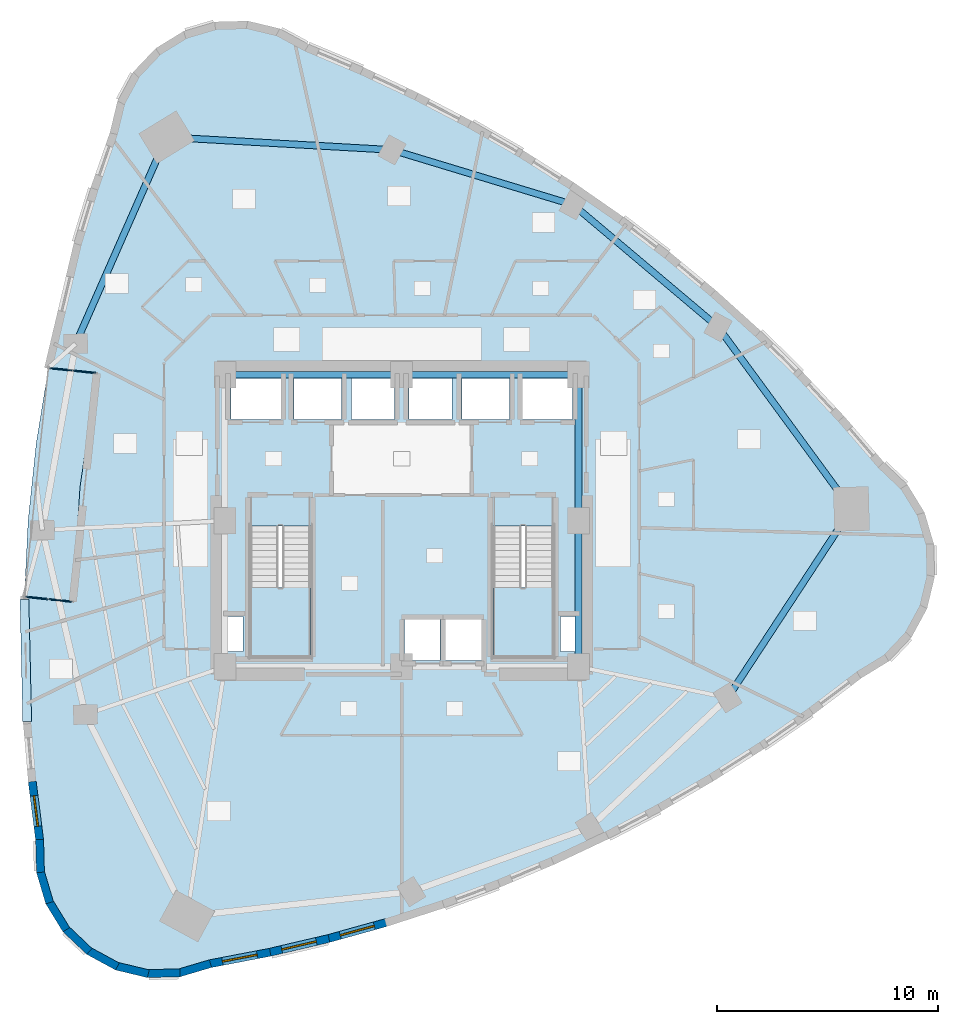
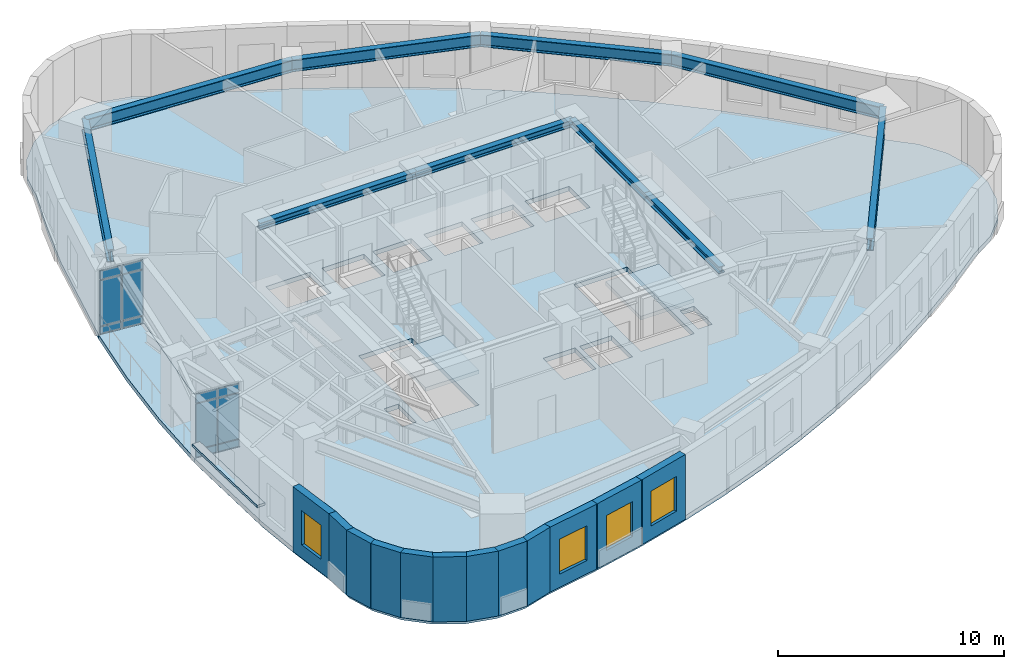
# One storey, part 4 of 12: 13 plates, 12 walls, 10 beams, 4 slabs, 4 windows, 4 openings, 4 elements without a shape of their own.
"""IFC4 building model written with IfcOpenShell, lengths in metres."""

from ifc_helpers import new_model, si_unit, direction, frame, frame_2d, origin, origin_2d, place, context, subcontext, project, spatial, polyline, rectangle, i_section, outline, extrude, material, layer, layer_set, material_profile, profile_set, type_object, element, fill, aggregate, save


model = new_model("IFC4")

# Units and contexts
model_context = context("Model", 3, precision=1e-05, world=origin(), true_north=direction((0.0, 1.0)))
body_context = subcontext(model_context, "Body", "Model", "MODEL_VIEW")
ifc_project = project(units=[si_unit("LENGTHUNIT", "METRE"), si_unit("AREAUNIT", "SQUARE_METRE"), si_unit("VOLUMEUNIT", "CUBIC_METRE"), si_unit("PLANEANGLEUNIT", "RADIAN"), si_unit("MASSUNIT", "GRAM", prefix="KILO")], contexts=[model_context])

# Site, building, storey
site_placement = place(None, origin())
site = spatial("IfcSite", under=ifc_project, at=site_placement, CompositionType="ELEMENT")
building_placement = place(site_placement, origin())
building = spatial("IfcBuilding", under=site, at=building_placement, Name="Ndelora Gate Hotel", CompositionType="ELEMENT")
storey_placement = place(building_placement, frame((0.0, 0.0, 101.0)))
storey = spatial("IfcBuildingStorey", under=building, at=storey_placement, Name="L24", CompositionType="ELEMENT", Elevation=101.0)

# Beams
ifc_material_1 = material(Name="Steel S355", Category="steel")
ifc_material_profile_1 = material_profile(ifc_material_1, i_section(OverallWidth=0.300048828125, OverallDepth=0.360107421875, WebThickness=0.012451171875, FlangeThickness=0.0224609375, FilletRadius=0.027099609375, at=origin_2d()), Name="HEB 360")
ifc_profile_set_1 = profile_set([ifc_material_profile_1], Name="Steel S355")
beam_type_1 = type_object("IfcBeamType", Name="BM-CORE-360", PredefinedType="BEAM", material=ifc_profile_set_1)
for number, where, z_axis, x_axis, name in (
    (1, (-8.0, 6.60009765625, 3.320068359375), (1.0, 0.0, 0.0), (0.0, 1.0, 0.0), "L24 Core Tie Girder CC7-CC6"),
    (2, (0.0, 6.60009765625, 3.320068359375), (1.0, 0.0, 0.0), (0.0, 1.0, 0.0), "L24 Core Tie Girder CC6-CC5"),
):
    element("IfcBeam", number, at=place(storey_placement, frame(where, z_axis=z_axis, x_axis=x_axis)), inside=storey, type_object=beam_type_1, Name=name, PredefinedType="BEAM", context=body_context, shape_type="SweptSolid", body=[
        extrude(i_section(OverallWidth=0.300048828125, OverallDepth=0.360107421875, WebThickness=0.012451171875, FlangeThickness=0.0224609375, FilletRadius=0.027099609375, at=origin_2d()), origin(), (0.0, 0.0, 1.0), 8.0),
    ])
for number, where, z_axis, x_axis, name in (
    (3, (8.0, -6.60009765625, 3.320068359375), (0.0, 1.0, 0.0), (-1.0, 0.0, 0.0), "L24 Core Tie Girder CC3-CC4"),
    (4, (8.0, 0.0, 3.320068359375), (0.0, 1.0, 0.0), (-1.0, 0.0, 0.0), "L24 Core Tie Girder CC4-CC5"),
):
    element("IfcBeam", number, at=place(storey_placement, frame(where, z_axis=z_axis, x_axis=x_axis)), inside=storey, type_object=beam_type_1, Name=name, PredefinedType="BEAM", context=body_context, shape_type="SweptSolid", body=[
        extrude(i_section(OverallWidth=0.300048828125, OverallDepth=0.360107421875, WebThickness=0.012451171875, FlangeThickness=0.0224609375, FilletRadius=0.027099609375, at=origin_2d()), origin(), (0.0, 0.0, 1.0), 6.60009765625),
    ])
ifc_material_profile_2 = material_profile(ifc_material_1, i_section(OverallWidth=0.300048828125, OverallDepth=0.64990234375, WebThickness=0.01611328125, FlangeThickness=0.031005859375, FilletRadius=0.027099609375, at=origin_2d()), Name="HEB 650")
ifc_profile_set_2 = profile_set([ifc_material_profile_2], Name="Steel S355")
beam_type_2 = type_object("IfcBeamType", Name="BM-RING-650", PredefinedType="SPANDREL", material=ifc_profile_set_2)
beam_1_placement = place(storey_placement, frame((-10.63330078125, 17.351806640625, 3.175048828125), z_axis=(-0.402852396707, -0.915264959707, 0.0), x_axis=(0.915264959707, -0.402852396707, 0.0)))
element("IfcBeam", 5, at=beam_1_placement, inside=storey, type_object=beam_type_2, Name="L24 Perimeter Spandrel Girder 1", PredefinedType="SPANDREL", context=body_context, shape_type="SweptSolid", body=[
    extrude(i_section(OverallWidth=0.300048828125, OverallDepth=0.64990234375, WebThickness=0.01611328125, FlangeThickness=0.031005859375, FilletRadius=0.027099609375, at=origin_2d()), origin(), (0.0, 0.0, 1.0), 10.21044921875),
])
for number, where, z_axis, x_axis, name in (
    (6, (14.74658203125, -8.006591796875, 3.175048828125), (0.548194123818, 0.836351123998, 0.0), (-0.836351123998, 0.548194123818, 0.0), "L24 Perimeter Spandrel Girder 8"),
    (7, (20.34375, 0.53271484375, 3.175048828125), (-0.591229932094, 0.806503048597, 0.0), (-0.806503048597, -0.591229932094, 0.0), "L24 Perimeter Spandrel Girder 9"),
):
    element("IfcBeam", number, at=place(storey_placement, frame(where, z_axis=z_axis, x_axis=x_axis)), inside=storey, type_object=beam_type_2, Name=name, PredefinedType="SPANDREL", context=body_context, shape_type="SweptSolid", body=[
        extrude(i_section(OverallWidth=0.300048828125, OverallDepth=0.64990234375, WebThickness=0.01611328125, FlangeThickness=0.031005859375, FilletRadius=0.027099609375, at=origin_2d()), origin(), (0.0, 0.0, 1.0), 10.210205078125),
    ])
beam_2_placement = place(storey_placement, frame((14.30712890625, 8.767333984375, 3.175048828125), z_axis=(-0.76440691948, 0.644734101356, 0.0), x_axis=(-0.644734101356, -0.76440691948, 0.0)))
element("IfcBeam", 8, at=beam_2_placement, inside=storey, type_object=beam_type_2, Name="L24 Perimeter Spandrel Girder 10", PredefinedType="SPANDREL", context=body_context, shape_type="SweptSolid", body=[
    extrude(i_section(OverallWidth=0.300048828125, OverallDepth=0.64990234375, WebThickness=0.01611328125, FlangeThickness=0.031005859375, FilletRadius=0.027099609375, at=origin_2d()), origin(), (0.0, 0.0, 1.0), 8.566162109375),
])
beam_3_placement = place(storey_placement, frame((7.759033203125, 14.290283203125, 3.175048828125), z_axis=(-0.957030396662, 0.289987620192, 0.0), x_axis=(-0.289987620192, -0.957030396662, 0.0)))
element("IfcBeam", 9, at=beam_3_placement, inside=storey, type_object=beam_type_2, Name="L24 Perimeter Spandrel Girder 11", PredefinedType="SPANDREL", context=body_context, shape_type="SweptSolid", body=[
    extrude(i_section(OverallWidth=0.300048828125, OverallDepth=0.64990234375, WebThickness=0.01611328125, FlangeThickness=0.031005859375, FilletRadius=0.027099609375, at=origin_2d()), origin(), (0.0, 0.0, 1.0), 8.56640625),
])
beam_4_placement = place(storey_placement, frame((-0.439208984375, 16.7744140625, 3.175048828125), z_axis=(-0.998399808671, 0.056549288648, 0.0), x_axis=(-0.056549288648, -0.998399808671, 0.0)))
element("IfcBeam", 10, at=beam_4_placement, inside=storey, type_object=beam_type_2, Name="L24 Perimeter Spandrel Girder 12", PredefinedType="SPANDREL", context=body_context, shape_type="SweptSolid", body=[
    extrude(i_section(OverallWidth=0.300048828125, OverallDepth=0.64990234375, WebThickness=0.01611328125, FlangeThickness=0.031005859375, FilletRadius=0.027099609375, at=origin_2d()), origin(), (0.0, 0.0, 1.0), 10.21044921875),
])

# Curtain wall, plates
ifc_material_2 = material(Name="Bronze Anodised Unitised Aluminium and Low-E Glass", Category="aluminium")
ifc_layer_1 = layer(ifc_material_2, 0.199951171875)
ifc_layer_set_1 = layer_set([ifc_layer_1], Name="Bronze Anodised Unitised Aluminium and Low-E Glass")
curtain_wall_type = type_object("IfcCurtainWallType", Name="CW-SYS-3", PredefinedType="NOTDEFINED", material=ifc_layer_set_1)
curtain_wall_1_placement = place(storey_placement, origin())
curtain_wall_1 = element("IfcCurtainWall", 11, at=curtain_wall_1_placement, inside=storey, type_object=curtain_wall_type, Name="L24 Sky-Garden Loggia Side Curtain Wall CW3-1", PredefinedType="NOTDEFINED")
ifc_material_3 = material(Name="Solar-Control Low-E Insulated Glazing", Category="glass")
ifc_layer_2 = layer(ifc_material_3, 0.048095703125)
ifc_layer_set_2 = layer_set([ifc_layer_2], Name="Solar-Control Low-E Insulated Glazing")
plate_type_1 = type_object("IfcPlateType", Name="PL-CW-GLZ36", PredefinedType="CURTAIN_PANEL", material=ifc_layer_set_2)
plate_1_placement = place(storey_placement, frame((-14.356201171875, 6.737548828125, 0.05908203125), z_axis=(0.0, 0.0, 1.0), x_axis=(-0.994524614789, 0.10450258647, 0.0)))
plate_1 = element("IfcPlate", 12, at=plate_1_placement, type_object=plate_type_1, Name="CW3 panel 1.1", PredefinedType="CURTAIN_PANEL", context=body_context, shape_type="SweptSolid", body=[
    extrude(rectangle(XDim=1.014404296875, YDim=0.048095703125, at=origin_2d()), origin(), (0.0, 0.0, 1.0), 0.364501953125),
])
plate_2_placement = place(storey_placement, frame((-14.356201171875, 6.737548828125, 0.4765625), z_axis=(0.0, 0.0, 1.0), x_axis=(-0.994524614789, 0.10450258647, 0.0)))
plate_2 = element("IfcPlate", 13, at=plate_2_placement, type_object=plate_type_1, Name="CW3 panel 1.2", PredefinedType="CURTAIN_PANEL", context=body_context, shape_type="SweptSolid", body=[
    extrude(rectangle(XDim=1.014404296875, YDim=0.048095703125, at=origin_2d()), origin(), (0.0, 0.0, 1.0), 2.447021484375),
])
plate_3_placement = place(storey_placement, frame((-14.356201171875, 6.737548828125, 2.9765625), z_axis=(0.0, 0.0, 1.0), x_axis=(-0.994524614789, 0.10450258647, 0.0)))
plate_3 = element("IfcPlate", 14, at=plate_3_placement, type_object=plate_type_1, Name="CW3 panel 1.3", PredefinedType="CURTAIN_PANEL", context=body_context, shape_type="SweptSolid", body=[
    extrude(rectangle(XDim=1.014404296875, YDim=0.048095703125, at=origin_2d()), origin(), (0.0, 0.0, 1.0), 0.464599609375),
])
plate_4_placement = place(storey_placement, frame((-15.41796875, 6.84912109375, 0.05908203125), z_axis=(0.0, 0.0, 1.0), x_axis=(-0.994524614789, 0.10450258647, 0.0)))
plate_4 = element("IfcPlate", 15, at=plate_4_placement, type_object=plate_type_1, Name="CW3 panel 2.1", PredefinedType="CURTAIN_PANEL", context=body_context, shape_type="SweptSolid", body=[
    extrude(rectangle(XDim=1.014404296875, YDim=0.048095703125, at=origin_2d()), origin(), (0.0, 0.0, 1.0), 0.364501953125),
])
plate_5_placement = place(storey_placement, frame((-15.41796875, 6.84912109375, 0.4765625), z_axis=(0.0, 0.0, 1.0), x_axis=(-0.994524614789, 0.10450258647, 0.0)))
plate_5 = element("IfcPlate", 16, at=plate_5_placement, type_object=plate_type_1, Name="CW3 panel 2.2", PredefinedType="CURTAIN_PANEL", context=body_context, shape_type="SweptSolid", body=[
    extrude(rectangle(XDim=1.014404296875, YDim=0.048095703125, at=origin_2d()), origin(), (0.0, 0.0, 1.0), 2.447021484375),
])
plate_6_placement = place(storey_placement, frame((-15.41796875, 6.84912109375, 2.9765625), z_axis=(0.0, 0.0, 1.0), x_axis=(-0.994524614789, 0.10450258647, 0.0)))
plate_6 = element("IfcPlate", 17, at=plate_6_placement, type_object=plate_type_1, Name="CW3 panel 2.3", PredefinedType="CURTAIN_PANEL", context=body_context, shape_type="SweptSolid", body=[
    extrude(rectangle(XDim=1.014404296875, YDim=0.048095703125, at=origin_2d()), origin(), (0.0, 0.0, 1.0), 0.464599609375),
])
aggregate(curtain_wall_1, [plate_1, plate_2, plate_3, plate_4, plate_5, plate_6])

curtain_wall_2_placement = place(storey_placement, origin())
curtain_wall_2 = element("IfcCurtainWall", 18, at=curtain_wall_2_placement, inside=storey, type_object=curtain_wall_type, Name="L24 Sky-Garden Loggia Side Curtain Wall CW3-2", PredefinedType="NOTDEFINED")
plate_7_placement = place(storey_placement, frame((-16.5048828125, -3.493896484375, 0.05908203125), z_axis=(0.0, 0.0, 1.0), x_axis=(0.994519889569, -0.104547545416, 0.0)))
plate_7 = element("IfcPlate", 19, at=plate_7_placement, type_object=plate_type_1, Name="CW3 panel 1.1", PredefinedType="CURTAIN_PANEL", context=body_context, shape_type="SweptSolid", body=[
    extrude(rectangle(XDim=1.014404296875, YDim=0.048095703125, at=origin_2d()), origin(), (0.0, 0.0, 1.0), 0.364501953125),
])
plate_8_placement = place(storey_placement, frame((-16.5048828125, -3.493896484375, 0.4765625), z_axis=(0.0, 0.0, 1.0), x_axis=(0.994519889569, -0.104547545416, 0.0)))
plate_8 = element("IfcPlate", 20, at=plate_8_placement, type_object=plate_type_1, Name="CW3 panel 1.2", PredefinedType="CURTAIN_PANEL", context=body_context, shape_type="SweptSolid", body=[
    extrude(rectangle(XDim=1.014404296875, YDim=0.048095703125, at=origin_2d()), origin(), (0.0, 0.0, 1.0), 2.447021484375),
])
plate_9_placement = place(storey_placement, frame((-16.5048828125, -3.493896484375, 2.9765625), z_axis=(0.0, 0.0, 1.0), x_axis=(0.994519889569, -0.104547545416, 0.0)))
plate_9 = element("IfcPlate", 21, at=plate_9_placement, type_object=plate_type_1, Name="CW3 panel 1.3", PredefinedType="CURTAIN_PANEL", context=body_context, shape_type="SweptSolid", body=[
    extrude(rectangle(XDim=1.014404296875, YDim=0.048095703125, at=origin_2d()), origin(), (0.0, 0.0, 1.0), 0.464599609375),
])
plate_10_placement = place(storey_placement, frame((-15.443359375, -3.60546875, 0.05908203125), z_axis=(0.0, 0.0, 1.0), x_axis=(0.994519889569, -0.104547545416, 0.0)))
plate_10 = element("IfcPlate", 22, at=plate_10_placement, type_object=plate_type_1, Name="CW3 panel 2.1", PredefinedType="CURTAIN_PANEL", context=body_context, shape_type="SweptSolid", body=[
    extrude(rectangle(XDim=1.014404296875, YDim=0.048095703125, at=origin_2d()), origin(), (0.0, 0.0, 1.0), 0.364501953125),
])
plate_11_placement = place(storey_placement, frame((-15.443359375, -3.60546875, 0.4765625), z_axis=(0.0, 0.0, 1.0), x_axis=(0.994519889569, -0.104547545416, 0.0)))
plate_11 = element("IfcPlate", 23, at=plate_11_placement, type_object=plate_type_1, Name="CW3 panel 2.2", PredefinedType="CURTAIN_PANEL", context=body_context, shape_type="SweptSolid", body=[
    extrude(rectangle(XDim=1.014404296875, YDim=0.048095703125, at=origin_2d()), origin(), (0.0, 0.0, 1.0), 2.447021484375),
])
plate_12_placement = place(storey_placement, frame((-15.443359375, -3.60546875, 2.9765625), z_axis=(0.0, 0.0, 1.0), x_axis=(0.994519889569, -0.104547545416, 0.0)))
plate_12 = element("IfcPlate", 24, at=plate_12_placement, type_object=plate_type_1, Name="CW3 panel 2.3", PredefinedType="CURTAIN_PANEL", context=body_context, shape_type="SweptSolid", body=[
    extrude(rectangle(XDim=1.014404296875, YDim=0.048095703125, at=origin_2d()), origin(), (0.0, 0.0, 1.0), 0.464599609375),
])
aggregate(curtain_wall_2, [plate_7, plate_8, plate_9, plate_10, plate_11, plate_12])

# Plate
ifc_material_4 = material(Name="Precast concrete C40/50", Category="concrete")
ifc_layer_3 = layer(ifc_material_4, 0.125)
ifc_layer_set_3 = layer_set([ifc_layer_3], Name="Precast concrete C40/50")
plate_type_2 = type_object("IfcPlateType", Name="PL-SILL-120", PredefinedType="USERDEFINED", material=ifc_layer_set_3)
plate_13_placement = place(storey_placement, frame((-17.0029296875, -6.322509765625, 0.78759765625), z_axis=(0.0, 0.0, 1.0), x_axis=(-0.022512845226, 0.999746553782, 0.0)))
element("IfcPlate", 25, at=plate_13_placement, inside=storey, type_object=plate_type_2, Name="L24 Streamline Precast Ribbon Sill 16", ObjectType="RIBBON_SILL", PredefinedType="USERDEFINED", context=body_context, shape_type="SweptSolid", body=[
    extrude(rectangle(XDim=5.527099609375, YDim=0.39990234375, at=origin_2d()), origin(), (0.0, 0.0, 1.0), 0.125),
])

# Stair, slab
stair_type = type_object("IfcStairType", Name="STR-DOG-CORE", PredefinedType="HALF_TURN_STAIR", material=ifc_material_4)
stair_1_placement = place(storey_placement, origin())
stair_1 = element("IfcStair", 26, at=stair_1_placement, inside=storey, type_object=stair_type, Name="L24 Protected Core Exit Stair ST4", PredefinedType="HALF_TURN_STAIR")
ifc_layer_4 = layer(ifc_material_4, 0.219970703125)
ifc_layer_set_4 = layer_set([ifc_layer_4], Name="Precast concrete C40/50")
slab_type_1 = type_object("IfcSlabType", Name="SL-LAND-220", PredefinedType="LANDING", material=ifc_layer_set_4)
slab_1_placement = place(storey_placement, frame((0.0, 0.0, 1.675048828125)))
slab_1 = element("IfcSlab", 27, at=slab_1_placement, type_object=slab_type_1, Name="ST4 landing 1", PredefinedType="LANDING", context=body_context, shape_type="SweptSolid", body=[
    extrude(outline(polyline([(-6.85009765625, -3.030029296875), (-6.85009765625, -6.14990234375), (-4.1298828125, -6.14990234375), (-4.1298828125, -3.030029296875), (-6.85009765625, -3.030029296875)])), origin(), (0.0, 0.0, 1.0), 0.199951171875),
])
aggregate(stair_1, [slab_1])

stair_2_placement = place(storey_placement, origin())
stair_2 = element("IfcStair", 28, at=stair_2_placement, inside=storey, type_object=stair_type, Name="L24 Protected Core Exit Stair ST5", PredefinedType="HALF_TURN_STAIR")
slab_2_placement = place(storey_placement, frame((0.0, 0.0, 1.675048828125)))
slab_2 = element("IfcSlab", 29, at=slab_2_placement, type_object=slab_type_1, Name="ST5 landing 1", PredefinedType="LANDING", context=body_context, shape_type="SweptSolid", body=[
    extrude(outline(polyline([(4.1298828125, -3.030029296875), (4.1298828125, -6.14990234375), (6.85009765625, -6.14990234375), (6.85009765625, -3.030029296875), (4.1298828125, -3.030029296875)])), origin(), (0.0, 0.0, 1.0), 0.199951171875),
])
aggregate(stair_2, [slab_2])

# Slabs
ifc_layer_5 = layer(ifc_material_4, 0.239990234375)
ifc_layer_set_5 = layer_set([ifc_layer_5], Name="Precast concrete C40/50")
slab_type_2 = type_object("IfcSlabType", Name="SL-TER-240", PredefinedType="FLOOR", material=ifc_layer_set_5)
slab_3_placement = place(storey_placement, frame((0.0, 0.0, -0.239990234375)))
element("IfcSlab", 30, at=slab_3_placement, inside=storey, type_object=slab_type_2, Name="L24 Sky Garden Loggia Terrace Slab", PredefinedType="FLOOR", context=body_context, shape_type="SweptSolid", body=[
    extrude(outline(polyline([(-13.793212890625, 6.678466796875), (-15.98095703125, 6.908203125), (-16.528564453125, 3.514892578125), (-16.898193359375, -0.001708984375), (-17.068115234375, -3.434814453125), (-14.880126953125, -3.664794921875), (-14.550048828125, 1.529296875), (-13.793212890625, 6.678466796875)])), origin(), (0.0, 0.0, 1.0), 0.239990234375),
])
ifc_material_5 = material(Name="Concrete C40/50", Category="concrete")
ifc_layer_6 = layer(ifc_material_5, 0.25)
ifc_layer_set_6 = layer_set([ifc_layer_6], Name="Concrete C40/50")
slab_type_3 = type_object("IfcSlabType", Name="SL-TWR-250", PredefinedType="FLOOR", material=ifc_layer_set_6)
slab_4_placement = place(storey_placement, frame((0.0, 0.0, -0.25)))
element("IfcSlab", 31, at=slab_4_placement, inside=storey, type_object=slab_type_3, Name="L24 Structural Floor Slab", PredefinedType="FLOOR", context=body_context, shape_type="SweptSolid", body=[
    extrude(outline(polyline([(-4.31640625, 21.4052734375), (-5.578125, 22.09033203125), (-6.974365234375, 22.425537109375), (-8.40966796875, 22.387939453125), (-9.7861328125, 21.980224609375), (-11.010498046875, 21.22998046875), (-11.998779296875, 20.1884765625), (-12.683837890625, 18.9267578125), (-13.01904296875, 17.530517578125), (-13.88818359375, 15.035888671875), (-14.652587890625, 12.530517578125), (-15.98095703125, 6.908203125), (-13.793212890625, 6.678466796875), (-14.550048828125, 1.529296875), (-14.880126953125, -3.664794921875), (-17.068115234375, -3.434814453125), (-16.937744140625, -9.210205078125), (-16.710693359375, -11.81982421875), (-16.37939453125, -14.440673828125), (-16.341796875, -15.8759765625), (-15.93408203125, -17.252685546875), (-15.183837890625, -18.476806640625), (-14.142333984375, -19.465087890625), (-12.880615234375, -20.150390625), (-11.484375, -20.485595703125), (-10.049072265625, -20.447998046875), (-8.67236328125, -20.0400390625), (-5.97021484375, -19.522705078125), (-3.314453125, -18.9013671875), (-0.705078125, -18.17578125), (1.858154296875, -17.34619140625), (4.375, -16.41259765625), (6.845458984375, -15.375), (9.26953125, -14.2333984375), (11.6474609375, -12.98779296875), (13.97900390625, -11.637939453125), (16.26416015625, -10.184326171875), (18.503173828125, -8.62646484375), (20.69580078125, -6.964599609375), (21.919921875, -6.21435546875), (22.908203125, -5.1728515625), (23.593505859375, -3.9111328125), (23.928466796875, -2.514892578125), (23.890869140625, -1.07958984375), (23.483154296875, 0.297119140625), (22.73291015625, 1.521240234375), (21.69140625, 2.509521484375), (19.892333984375, 4.5908203125), (18.0263671875, 6.580078125), (16.09326171875, 8.477294921875), (14.09326171875, 10.2822265625), (12.0263671875, 11.9951171875), (9.892578125, 13.615966796875), (7.691650390625, 15.14453125), (5.424072265625, 16.580810546875), (3.08935546875, 17.92529296875), (0.687744140625, 19.177490234375), (-1.78076171875, 20.33740234375), (-4.31640625, 21.4052734375)]), holes=[polyline([(-6.85009765625, -0.22998046875), (-6.85009765625, -6.14990234375), (-4.1298828125, -6.14990234375), (-4.1298828125, -0.22998046875), (-6.85009765625, -0.22998046875)]), polyline([(4.1298828125, -0.22998046875), (4.1298828125, -6.14990234375), (6.85009765625, -6.14990234375), (6.85009765625, -0.22998046875), (4.1298828125, -0.22998046875)]), polyline([(-7.72998046875, 4.570068359375), (-5.469970703125, 4.570068359375), (-5.469970703125, 6.429931640625), (-7.72998046875, 6.429931640625), (-7.72998046875, 4.570068359375)]), polyline([(5.469970703125, 4.570068359375), (7.72998046875, 4.570068359375), (7.72998046875, 6.429931640625), (5.469970703125, 6.429931640625), (5.469970703125, 4.570068359375)]), polyline([(-4.8798828125, 4.570068359375), (-2.719970703125, 4.570068359375), (-2.719970703125, 6.429931640625), (-4.8798828125, 6.429931640625), (-4.8798828125, 4.570068359375)]), polyline([(2.719970703125, 4.570068359375), (4.8798828125, 4.570068359375), (4.8798828125, 6.429931640625), (2.719970703125, 6.429931640625), (2.719970703125, 4.570068359375)]), polyline([(0.1201171875, -6.330078125), (1.739990234375, -6.330078125), (1.739990234375, -4.469970703125), (0.1201171875, -4.469970703125), (0.1201171875, -6.330078125)]), polyline([(1.97998046875, -6.330078125), (3.60009765625, -6.330078125), (3.60009765625, -4.469970703125), (1.97998046875, -4.469970703125), (1.97998046875, -6.330078125)]), polyline([(-2.280029296875, 4.570068359375), (-0.320068359375, 4.570068359375), (-0.320068359375, 6.429931640625), (-2.280029296875, 6.429931640625), (-2.280029296875, 4.570068359375)]), polyline([(0.320068359375, 4.570068359375), (2.280029296875, 4.570068359375), (2.280029296875, 6.429931640625), (0.320068359375, 6.429931640625), (0.320068359375, 4.570068359375)]), polyline([(-7.89990234375, -5.919921875), (-7.179931640625, -5.919921875), (-7.179931640625, -4.320068359375), (-7.89990234375, -4.320068359375), (-7.89990234375, -5.919921875)]), polyline([(7.179931640625, -5.919921875), (7.89990234375, -5.919921875), (7.89990234375, -4.320068359375), (7.179931640625, -4.320068359375), (7.179931640625, -5.919921875)])]), origin(), (0.0, 0.0, 1.0), 0.25),
])

# Wall, opening, window
ifc_material_6 = material(Name="Clay Brick Masonry", Category="masonry")
ifc_layer_7 = layer(ifc_material_6, 0.360107421875)
ifc_layer_set_7 = layer_set([ifc_layer_7], Name="Clay Brick Masonry")
wall_type = type_object("IfcWallType", Name="WL-BRICK-360", PredefinedType="SOLIDWALL", material=ifc_layer_set_7)
wall_1_placement = place(storey_placement, frame((-16.376220703125, -14.465576171875, 0.0), z_axis=(0.0, 0.0, 1.0), x_axis=(-0.125441192339, 0.992101056982, 0.0)))
wall_1 = element("IfcWall", 32, at=wall_1_placement, inside=storey, type_object=wall_type, Name="L24 Tower Brick Pier-and-Spandrel Wall TWR-18", PredefinedType="SOLIDWALL", context=body_context, shape_type="SweptSolid", body=[
    extrude(rectangle(XDim=2.691650390625, YDim=0.360107421875, at=frame_2d((1.345703125, 0.0))), origin(), (0.0, 0.0, 1.0), 3.5),
])
opening_1_placement = place(wall_1_placement, frame((0.645751953125, 0.0, 0.719970703125)))
opening_1 = element("IfcOpeningElement", 33, at=opening_1_placement, cuts=wall_1, Name="Opening W02", PredefinedType="OPENING", context=body_context, shape_type="SweptSolid", body=[
    extrude(rectangle(XDim=1.39990234375, YDim=1.840087890625, at=frame_2d((0.699951171875, 0.919921875))), frame((0.0, 0.18994140625, 0.0), z_axis=(0.0, -1.0, 0.0), x_axis=(1.0, 0.0, 0.0)), (0.0, 0.0, 1.0), 0.380126953125),
])
ifc_material_7 = material(Name="Insulated Low-E Double Glazing in Bronze Aluminium Frame", Category="aluminium")
window_type_1 = type_object("IfcWindowType", Name="WN-DEEP-1400", PartitioningType="SINGLE_PANEL", PredefinedType="WINDOW", material=ifc_material_7)
window_1_placement = place(opening_1_placement, origin())
window_1 = element("IfcWindow", 34, at=window_1_placement, inside=storey, type_object=window_type_1, Name="L24 Deep-Set Brick-Pier Window W02", OverallHeight=1.840087890625, OverallWidth=1.39990234375, PartitioningType="SINGLE_PANEL", PredefinedType="WINDOW", context=body_context, shape_type="SweptSolid", body=[
    extrude(rectangle(XDim=1.39990234375, YDim=1.840087890625, at=frame_2d((0.699951171875, 0.919921875))), frame((0.0, 0.030029296875, 0.0), z_axis=(0.0, -1.0, 0.0), x_axis=(1.0, 0.0, 0.0)), (0.0, 0.0, 1.0), 0.06005859375),
])
fill(opening_1, window_1)

# Walls
for number, where, z_axis, x_axis, name in (
    (35, (-16.341064453125, -15.90087890625, 0.0), (0.0, 0.0, 1.0), (-0.026293717191, 0.99965426045, 0.0), "L24 Tower Brick Pier-and-Spandrel Wall TWR-19"),
    (36, (-15.927001953125, -17.276611328125, 0.0), (0.0, 0.0, 1.0), (-0.283954048509, 0.958837889497, 0.0), "L24 Tower Brick Pier-and-Spandrel Wall TWR-20"),
):
    element("IfcWall", number, at=place(storey_placement, frame(where, z_axis=z_axis, x_axis=x_axis)), inside=storey, type_object=wall_type, Name=name, PredefinedType="SOLIDWALL", context=body_context, shape_type="SweptSolid", body=[
        extrude(rectangle(XDim=1.485595703125, YDim=0.360107421875, at=frame_2d((0.74267578125, 0.0))), origin(), (0.0, 0.0, 1.0), 3.5),
    ])
wall_2_placement = place(storey_placement, frame((-15.170654296875, -18.498291015625, 0.0), z_axis=(0.0, 0.0, 1.0), x_axis=(-0.522519673624, 0.852627228439, 0.0)))
element("IfcWall", 37, at=wall_2_placement, inside=storey, type_object=wall_type, Name="L24 Tower Brick Pier-and-Spandrel Wall TWR-21", PredefinedType="SOLIDWALL", context=body_context, shape_type="SweptSolid", body=[
    extrude(rectangle(XDim=1.48583984375, YDim=0.360107421875, at=frame_2d((0.742919921875, 0.0))), origin(), (0.0, 0.0, 1.0), 3.5),
])
wall_3_placement = place(storey_placement, frame((-14.124267578125, -19.482421875, 0.0), z_axis=(0.0, 0.0, 1.0), x_axis=(-0.725352183474, 0.688377955726, 0.0)))
element("IfcWall", 38, at=wall_3_placement, inside=storey, type_object=wall_type, Name="L24 Tower Brick Pier-and-Spandrel Wall TWR-22", PredefinedType="SOLIDWALL", context=body_context, shape_type="SweptSolid", body=[
    extrude(rectangle(XDim=1.485595703125, YDim=0.360107421875, at=frame_2d((0.74267578125, 0.0))), origin(), (0.0, 0.0, 1.0), 3.5),
])
wall_4_placement = place(storey_placement, frame((-12.8583984375, -20.162109375, 0.0), z_axis=(0.0, 0.0, 1.0), x_axis=(-0.87890460574, 0.476997582812, 0.0)))
element("IfcWall", 39, at=wall_4_placement, inside=storey, type_object=wall_type, Name="L24 Tower Brick Pier-and-Spandrel Wall TWR-23", PredefinedType="SOLIDWALL", context=body_context, shape_type="SweptSolid", body=[
    extrude(rectangle(XDim=1.48583984375, YDim=0.360107421875, at=frame_2d((0.742919921875, 0.0))), origin(), (0.0, 0.0, 1.0), 3.5),
])
wall_5_placement = place(storey_placement, frame((-11.460205078125, -20.4912109375, 0.0), z_axis=(0.0, 0.0, 1.0), x_axis=(-0.972390285352, 0.233360521413, 0.0)))
element("IfcWall", 40, at=wall_5_placement, inside=storey, type_object=wall_type, Name="L24 Tower Brick Pier-and-Spandrel Wall TWR-24", PredefinedType="SOLIDWALL", context=body_context, shape_type="SweptSolid", body=[
    extrude(rectangle(XDim=1.485595703125, YDim=0.360107421875, at=frame_2d((0.74267578125, 0.0))), origin(), (0.0, 0.0, 1.0), 3.5),
])
for number, where, z_axis, x_axis, name in (
    (41, (-10.024169921875, -20.447265625, 0.0), (0.0, 0.0, 1.0), (-0.999658678656, -0.026125202154, 0.0), "L24 Tower Brick Pier-and-Spandrel Wall TWR-25"),
    (42, (-8.6484375, -20.032958984375, 0.0), (0.0, 0.0, 1.0), (-0.95879313952, -0.284105113664, 0.0), "L24 Tower Brick Pier-and-Spandrel Wall TWR-26"),
):
    element("IfcWall", number, at=place(storey_placement, frame(where, z_axis=z_axis, x_axis=x_axis)), inside=storey, type_object=wall_type, Name=name, PredefinedType="SOLIDWALL", context=body_context, shape_type="SweptSolid", body=[
        extrude(rectangle(XDim=1.48583984375, YDim=0.360107421875, at=frame_2d((0.742919921875, 0.0))), origin(), (0.0, 0.0, 1.0), 3.5),
    ])

# Wall, opening, window
wall_6_placement = place(storey_placement, frame((-5.94580078125, -19.51806640625, 0.0), z_axis=(0.0, 0.0, 1.0), x_axis=(-0.982153479192, -0.188081214668, 0.0)))
wall_6 = element("IfcWall", 43, at=wall_6_placement, inside=storey, type_object=wall_type, Name="L24 Tower Brick Pier-and-Spandrel Wall TWR-27", PredefinedType="SOLIDWALL", context=body_context, shape_type="SweptSolid", body=[
    extrude(rectangle(XDim=2.80126953125, YDim=0.360107421875, at=frame_2d((1.400634765625, 0.0))), origin(), (0.0, 0.0, 1.0), 3.5),
])
opening_2_placement = place(wall_6_placement, frame((0.6005859375, 0.0, 0.719970703125)))
opening_2 = element("IfcOpeningElement", 44, at=opening_2_placement, cuts=wall_6, Name="Opening W01", PredefinedType="OPENING", context=body_context, shape_type="SweptSolid", body=[
    extrude(rectangle(XDim=1.60009765625, YDim=1.8798828125, at=frame_2d((0.800048828125, 0.93994140625))), frame((0.0, 0.18994140625, 0.0), z_axis=(0.0, -1.0, 0.0), x_axis=(1.0, 0.0, 0.0)), (0.0, 0.0, 1.0), 0.380126953125),
])
window_type_2 = type_object("IfcWindowType", Name="WN-DEEP-1600", PartitioningType="SINGLE_PANEL", PredefinedType="WINDOW", material=ifc_material_7)
window_2_placement = place(opening_2_placement, origin())
window_2 = element("IfcWindow", 45, at=window_2_placement, inside=storey, type_object=window_type_2, Name="L24 Deep-Set Brick-Pier Window W01", OverallHeight=1.8798828125, OverallWidth=1.60009765625, PartitioningType="SINGLE_PANEL", PredefinedType="WINDOW", context=body_context, shape_type="SweptSolid", body=[
    extrude(rectangle(XDim=1.60009765625, YDim=1.8798828125, at=frame_2d((0.800048828125, 0.93994140625))), frame((0.0, 0.030029296875, 0.0), z_axis=(0.0, -1.0, 0.0), x_axis=(1.0, 0.0, 0.0)), (0.0, 0.0, 1.0), 0.06005859375),
])
fill(opening_2, window_2)

wall_7_placement = place(storey_placement, frame((-3.290283203125, -18.8955078125, 0.0), z_axis=(0.0, 0.0, 1.0), x_axis=(-0.973697722737, -0.227843684873, 0.0)))
wall_7 = element("IfcWall", 46, at=wall_7_placement, inside=storey, type_object=wall_type, Name="L24 Tower Brick Pier-and-Spandrel Wall TWR-28", PredefinedType="SOLIDWALL", context=body_context, shape_type="SweptSolid", body=[
    extrude(rectangle(XDim=2.77734375, YDim=0.360107421875, at=frame_2d((1.388671875, 0.0))), origin(), (0.0, 0.0, 1.0), 3.5),
])
opening_3_placement = place(wall_7_placement, frame((0.5888671875, 0.0, 0.719970703125)))
opening_3 = element("IfcOpeningElement", 47, at=opening_3_placement, cuts=wall_7, Name="Opening W01", PredefinedType="OPENING", context=body_context, shape_type="SweptSolid", body=[
    extrude(rectangle(XDim=1.60009765625, YDim=1.8798828125, at=frame_2d((0.800048828125, 0.93994140625))), frame((0.0, 0.18994140625, 0.0), z_axis=(0.0, -1.0, 0.0), x_axis=(1.0, 0.0, 0.0)), (0.0, 0.0, 1.0), 0.380126953125),
])
window_3_placement = place(opening_3_placement, origin())
window_3 = element("IfcWindow", 48, at=window_3_placement, inside=storey, type_object=window_type_2, Name="L24 Deep-Set Brick-Pier Window W01", OverallHeight=1.8798828125, OverallWidth=1.60009765625, PartitioningType="SINGLE_PANEL", PredefinedType="WINDOW", context=body_context, shape_type="SweptSolid", body=[
    extrude(rectangle(XDim=1.60009765625, YDim=1.8798828125, at=frame_2d((0.800048828125, 0.93994140625))), frame((0.0, 0.030029296875, 0.0), z_axis=(0.0, -1.0, 0.0), x_axis=(1.0, 0.0, 0.0)), (0.0, 0.0, 1.0), 0.06005859375),
])
fill(opening_3, window_3)

wall_8_placement = place(storey_placement, frame((-0.680908203125, -18.169189453125, 0.0), z_axis=(0.0, 0.0, 1.0), x_axis=(-0.963469710564, -0.267817319876, 0.0)))
wall_8 = element("IfcWall", 49, at=wall_8_placement, inside=storey, type_object=wall_type, Name="L24 Tower Brick Pier-and-Spandrel Wall TWR-29", PredefinedType="SOLIDWALL", context=body_context, shape_type="SweptSolid", body=[
    extrude(rectangle(XDim=2.758544921875, YDim=0.360107421875, at=frame_2d((1.37939453125, 0.0))), origin(), (0.0, 0.0, 1.0), 3.5),
])
opening_4_placement = place(wall_8_placement, frame((0.5791015625, 0.0, 0.719970703125)))
opening_4 = element("IfcOpeningElement", 50, at=opening_4_placement, cuts=wall_8, Name="Opening W03", PredefinedType="OPENING", context=body_context, shape_type="SweptSolid", body=[
    extrude(rectangle(XDim=1.60009765625, YDim=1.8798828125, at=frame_2d((0.800048828125, 0.93994140625))), frame((0.0, 0.18994140625, 0.0), z_axis=(0.0, -1.0, 0.0), x_axis=(1.0, 0.0, 0.0)), (0.0, 0.0, 1.0), 0.380126953125),
])
window_type_3 = type_object("IfcWindowType", Name="WN-CORN-2100", PartitioningType="SINGLE_PANEL", PredefinedType="WINDOW", material=ifc_material_7)
window_4_placement = place(opening_4_placement, origin())
window_4 = element("IfcWindow", 51, at=window_4_placement, inside=storey, type_object=window_type_3, Name="L24 Deep-Set Brick-Pier Window W03", OverallHeight=1.8798828125, OverallWidth=1.60009765625, PartitioningType="SINGLE_PANEL", PredefinedType="WINDOW", context=body_context, shape_type="SweptSolid", body=[
    extrude(rectangle(XDim=1.60009765625, YDim=1.8798828125, at=frame_2d((0.800048828125, 0.93994140625))), frame((0.0, 0.030029296875, 0.0), z_axis=(0.0, -1.0, 0.0), x_axis=(1.0, 0.0, 0.0)), (0.0, 0.0, 1.0), 0.06005859375),
])
fill(opening_4, window_4)

save(model, "model.ifc")
